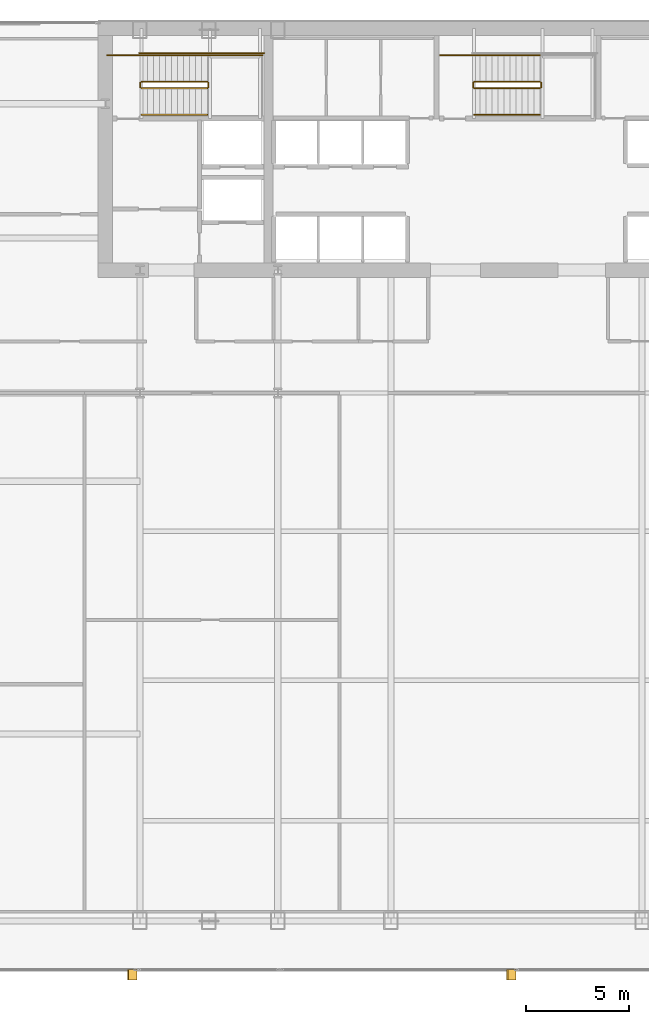
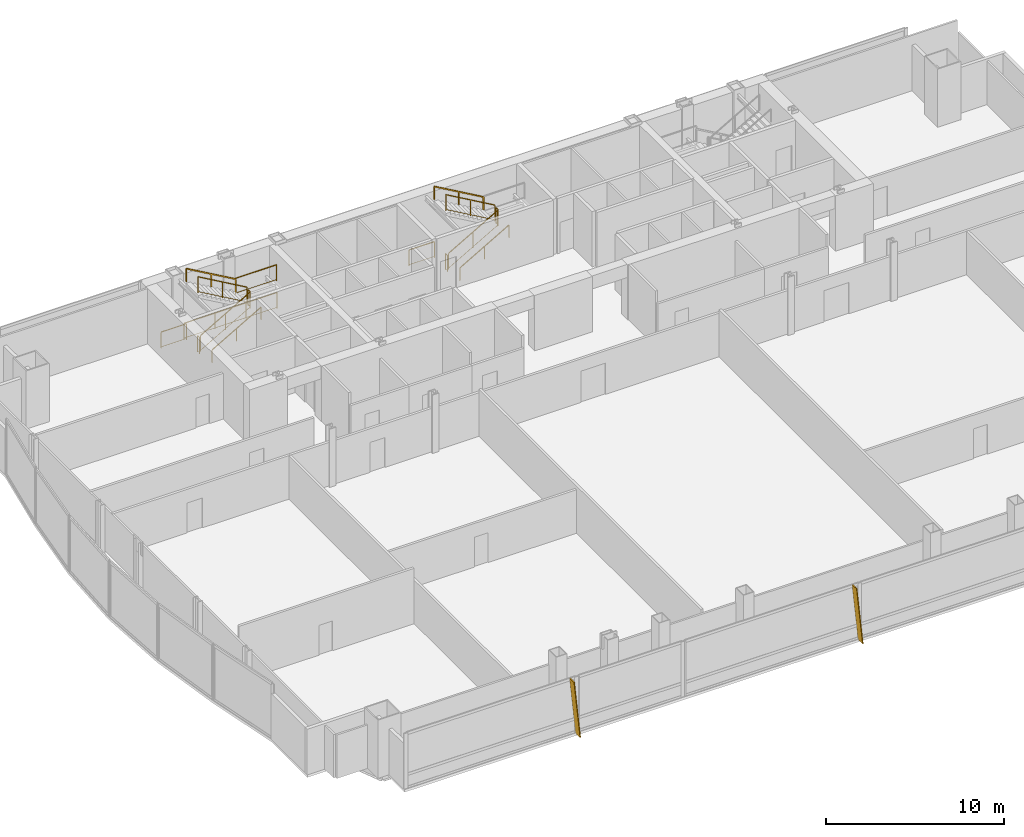
# One storey, part 32 of 34: 16 railings, 2 shading devices.
"""IFC4 building model written with IfcOpenShell, lengths in metres."""

from ifc_helpers import new_model, si_unit, direction, frame, origin, origin_2d, place, context, subcontext, project, spatial, polyline, rectangle, outline, extrude, material, layer, layer_set, type_object, element, save


model = new_model("IFC4")

# Units and contexts
model_context = context("Model", 3, precision=1e-05, world=origin(), true_north=direction((0.0, 1.0)))
body_context = subcontext(model_context, "Body", "Model", "MODEL_VIEW")
ifc_project = project(units=[si_unit("LENGTHUNIT", "METRE"), si_unit("AREAUNIT", "SQUARE_METRE"), si_unit("VOLUMEUNIT", "CUBIC_METRE"), si_unit("PLANEANGLEUNIT", "RADIAN"), si_unit("MASSUNIT", "GRAM", prefix="KILO")], contexts=[model_context])

# Site, building, storey
site_placement = place(None, origin())
site = spatial("IfcSite", under=ifc_project, at=site_placement, CompositionType="ELEMENT")
building_placement = place(site_placement, origin())
building = spatial("IfcBuilding", under=site, at=building_placement, Name="Khoronbel Lancet Exchange", CompositionType="ELEMENT")
storey_placement = place(building_placement, frame((0.0, 0.0, 102.60009765625)))
storey = spatial("IfcBuildingStorey", under=building, at=storey_placement, Name="L24", CompositionType="ELEMENT", Elevation=102.60009765625)

# Railings
ifc_material_1 = material(Name="Painted Steel Balustrade", Category="steel")
railing_type_1 = type_object("IfcRailingType", Name="RL-STG110", PredefinedType="GUARDRAIL", material=ifc_material_1)
railing_1_placement = place(storey_placement, frame((18.300048828125, 50.449951171875, 0.16650390625)))
element("IfcRailing", 1, at=railing_1_placement, inside=storey, type_object=railing_type_1, Name="L24 ST1 stair guard 1", PredefinedType="GUARDRAIL", context=body_context, shape_type="SweptSolid", body=[
    extrude(rectangle(XDim=0.048095703125, YDim=0.048095703125, at=origin_2d()), frame((0.0, 0.0, 1.09619140625), z_axis=(0.86699087805, 0.0, 0.498324008431), x_axis=(0.0, 1.0, 0.0)), (0.0, 0.0, 1.0), 3.679443359375),
    extrude(rectangle(XDim=0.02392578125, YDim=0.02392578125, at=origin_2d()), frame((0.0, 0.0, 0.080078125), z_axis=(0.86699087805, 0.0, 0.498324008431), x_axis=(0.0, 1.0, 0.0)), (0.0, 0.0, 1.0), 3.679443359375),
    extrude(rectangle(XDim=0.0419921875, YDim=0.0419921875, at=origin_2d()), origin(), (0.0, 0.0, 1.0), 1.072021484375),
    extrude(rectangle(XDim=0.0419921875, YDim=0.0419921875, at=origin_2d()), frame((1.594970703125, 0.0, 0.916748046875)), (0.0, 0.0, 1.0), 1.072021484375),
    extrude(rectangle(XDim=0.0419921875, YDim=0.0419921875, at=origin_2d()), frame((3.18994140625, 0.0, 1.83349609375)), (0.0, 0.0, 1.0), 1.072021484375),
])
railing_2_placement = place(storey_placement, frame((21.5400390625, 50.5, 2.0)))
element("IfcRailing", 2, at=railing_2_placement, inside=storey, type_object=railing_type_1, Name="L24 ST1 stair guard 2", PredefinedType="GUARDRAIL", context=body_context, shape_type="SweptSolid", body=[
    extrude(rectangle(XDim=0.048095703125, YDim=0.048095703125, at=origin_2d()), frame((0.0, 0.0, 1.09619140625), z_axis=(0.0, 1.0, 0.0), x_axis=(-1.0, 0.0, 0.0)), (0.0, 0.0, 1.0), 0.219970703125),
    extrude(rectangle(XDim=0.02392578125, YDim=0.02392578125, at=origin_2d()), frame((0.0, 0.0, 0.080078125), z_axis=(0.0, 1.0, 0.0), x_axis=(-1.0, 0.0, 0.0)), (0.0, 0.0, 1.0), 0.219970703125),
    extrude(rectangle(XDim=0.0419921875, YDim=0.0419921875, at=origin_2d()), origin(), (0.0, 0.0, 1.0), 1.072021484375),
    extrude(rectangle(XDim=0.0419921875, YDim=0.0419921875, at=origin_2d()), frame((0.0, 0.219970703125, 0.0)), (0.0, 0.0, 1.0), 1.072021484375),
])
railing_3_placement = place(storey_placement, frame((21.489990234375, 52.050048828125, 2.0)))
element("IfcRailing", 3, at=railing_3_placement, inside=storey, type_object=railing_type_1, Name="L24 ST1 stair guard 3", PredefinedType="GUARDRAIL", context=body_context, shape_type="SweptSolid", body=[
    extrude(rectangle(XDim=0.048095703125, YDim=0.048095703125, at=origin_2d()), frame((0.0, 0.0, 1.09619140625), z_axis=(1.0, 0.0, 0.0), x_axis=(0.0, 1.0, 0.0)), (0.0, 0.0, 1.0), 2.659912109375),
    extrude(rectangle(XDim=0.02392578125, YDim=0.02392578125, at=origin_2d()), frame((0.0, 0.0, 0.080078125), z_axis=(1.0, 0.0, 0.0), x_axis=(0.0, 1.0, 0.0)), (0.0, 0.0, 1.0), 2.659912109375),
    extrude(rectangle(XDim=0.0419921875, YDim=0.0419921875, at=origin_2d()), origin(), (0.0, 0.0, 1.0), 1.072021484375),
    extrude(rectangle(XDim=0.0419921875, YDim=0.0419921875, at=origin_2d()), frame((2.659912109375, 0.0, 0.0)), (0.0, 0.0, 1.0), 1.072021484375),
])
railing_4_placement = place(storey_placement, frame((21.489990234375, 50.77001953125, 2.16650390625)))
element("IfcRailing", 4, at=railing_4_placement, inside=storey, type_object=railing_type_1, Name="L24 ST1 stair guard 4", PredefinedType="GUARDRAIL", context=body_context, shape_type="SweptSolid", body=[
    extrude(rectangle(XDim=0.048095703125, YDim=0.048095703125, at=origin_2d()), frame((0.0, 0.0, 1.09619140625), z_axis=(-0.86699087805, 0.0, 0.498324008431), x_axis=(0.0, -1.0, 0.0)), (0.0, 0.0, 1.0), 3.679443359375),
    extrude(rectangle(XDim=0.02392578125, YDim=0.02392578125, at=origin_2d()), frame((0.0, 0.0, 0.080078125), z_axis=(-0.86699087805, 0.0, 0.498324008431), x_axis=(0.0, -1.0, 0.0)), (0.0, 0.0, 1.0), 3.679443359375),
    extrude(rectangle(XDim=0.0419921875, YDim=0.0419921875, at=origin_2d()), origin(), (0.0, 0.0, 1.0), 1.072021484375),
    extrude(rectangle(XDim=0.0419921875, YDim=0.0419921875, at=origin_2d()), frame((-1.594970703125, 0.0, 0.916748046875)), (0.0, 0.0, 1.0), 1.072021484375),
    extrude(rectangle(XDim=0.0419921875, YDim=0.0419921875, at=origin_2d()), frame((-3.18994140625, 0.0, 1.83349609375)), (0.0, 0.0, 1.0), 1.072021484375),
])
railing_5_placement = place(storey_placement, frame((18.25, 50.5, 0.0)))
element("IfcRailing", 5, at=railing_5_placement, inside=storey, type_object=railing_type_1, Name="L24 ST1 stair guard 5", PredefinedType="GUARDRAIL", context=body_context, shape_type="SweptSolid", body=[
    extrude(rectangle(XDim=0.048095703125, YDim=0.048095703125, at=origin_2d()), frame((0.0, 0.0, 1.09619140625), z_axis=(0.0, 1.0, 0.0), x_axis=(-1.0, 0.0, 0.0)), (0.0, 0.0, 1.0), 0.219970703125),
    extrude(rectangle(XDim=0.02392578125, YDim=0.02392578125, at=origin_2d()), frame((0.0, 0.0, 0.080078125), z_axis=(0.0, 1.0, 0.0), x_axis=(-1.0, 0.0, 0.0)), (0.0, 0.0, 1.0), 0.219970703125),
    extrude(rectangle(XDim=0.0419921875, YDim=0.0419921875, at=origin_2d()), origin(), (0.0, 0.0, 1.0), 1.072021484375),
    extrude(rectangle(XDim=0.0419921875, YDim=0.0419921875, at=origin_2d()), frame((0.0, 0.219970703125, 0.0)), (0.0, 0.0, 1.0), 1.072021484375),
])
railing_6_placement = place(storey_placement, frame((16.64990234375, 52.050048828125, 0.0)))
element("IfcRailing", 6, at=railing_6_placement, inside=storey, type_object=railing_type_1, Name="L24 ST1 stair guard 6", PredefinedType="GUARDRAIL", context=body_context, shape_type="SweptSolid", body=[
    extrude(rectangle(XDim=0.048095703125, YDim=0.048095703125, at=origin_2d()), frame((0.0, 0.0, 1.09619140625), z_axis=(1.0, 0.0, 0.0), x_axis=(0.0, 1.0, 0.0)), (0.0, 0.0, 1.0), 1.650146484375),
    extrude(rectangle(XDim=0.02392578125, YDim=0.02392578125, at=origin_2d()), frame((0.0, 0.0, 0.080078125), z_axis=(1.0, 0.0, 0.0), x_axis=(0.0, 1.0, 0.0)), (0.0, 0.0, 1.0), 1.650146484375),
    extrude(rectangle(XDim=0.0419921875, YDim=0.0419921875, at=origin_2d()), origin(), (0.0, 0.0, 1.0), 1.072021484375),
    extrude(rectangle(XDim=0.0419921875, YDim=0.0419921875, at=origin_2d()), frame((1.650146484375, 0.0, 0.0)), (0.0, 0.0, 1.0), 1.072021484375),
])
railing_7_placement = place(storey_placement, frame((18.199951171875, 52.14990234375, 0.0)))
element("IfcRailing", 7, at=railing_7_placement, inside=storey, type_object=railing_type_1, Name="L24 ST1 stair guard 7", PredefinedType="GUARDRAIL", context=body_context, shape_type="SweptSolid", body=[
    extrude(rectangle(XDim=0.048095703125, YDim=0.048095703125, at=origin_2d()), frame((0.0, 0.0, 1.09619140625), z_axis=(1.0, 0.0, 0.0), x_axis=(0.0, 1.0, 0.0)), (0.0, 0.0, 1.0), 6.050048828125),
    extrude(rectangle(XDim=0.02392578125, YDim=0.02392578125, at=origin_2d()), frame((0.0, 0.0, 0.080078125), z_axis=(1.0, 0.0, 0.0), x_axis=(0.0, 1.0, 0.0)), (0.0, 0.0, 1.0), 6.050048828125),
    extrude(rectangle(XDim=0.0419921875, YDim=0.0419921875, at=origin_2d()), origin(), (0.0, 0.0, 1.0), 1.072021484375),
    extrude(rectangle(XDim=0.0419921875, YDim=0.0419921875, at=origin_2d()), frame((2.0166015625, 0.0, 0.0)), (0.0, 0.0, 1.0), 1.072021484375),
    extrude(rectangle(XDim=0.0419921875, YDim=0.0419921875, at=origin_2d()), frame((4.033447265625, 0.0, 0.0)), (0.0, 0.0, 1.0), 1.072021484375),
    extrude(rectangle(XDim=0.0419921875, YDim=0.0419921875, at=origin_2d()), frame((6.050048828125, 0.0, 0.0)), (0.0, 0.0, 1.0), 1.072021484375),
])
railing_8_placement = place(storey_placement, frame((34.39990234375, 50.449951171875, 0.16650390625)))
element("IfcRailing", 8, at=railing_8_placement, inside=storey, type_object=railing_type_1, Name="L24 ST3 stair guard 1", PredefinedType="GUARDRAIL", context=body_context, shape_type="SweptSolid", body=[
    extrude(rectangle(XDim=0.048095703125, YDim=0.048095703125, at=origin_2d()), frame((0.0, 0.0, 1.09619140625), z_axis=(0.867007354286, 0.0, 0.498295341753), x_axis=(0.0, 1.0, 0.0)), (0.0, 0.0, 1.0), 3.679443359375),
    extrude(rectangle(XDim=0.02392578125, YDim=0.02392578125, at=origin_2d()), frame((0.0, 0.0, 0.080078125), z_axis=(0.867007354286, 0.0, 0.498295341753), x_axis=(0.0, 1.0, 0.0)), (0.0, 0.0, 1.0), 3.679443359375),
    extrude(rectangle(XDim=0.0419921875, YDim=0.0419921875, at=origin_2d()), origin(), (0.0, 0.0, 1.0), 1.072021484375),
    extrude(rectangle(XDim=0.0419921875, YDim=0.0419921875, at=origin_2d()), frame((1.59521484375, 0.0, 0.916748046875)), (0.0, 0.0, 1.0), 1.072021484375),
    extrude(rectangle(XDim=0.0419921875, YDim=0.0419921875, at=origin_2d()), frame((3.190185546875, 0.0, 1.83349609375)), (0.0, 0.0, 1.0), 1.072021484375),
])
railing_9_placement = place(storey_placement, frame((37.639892578125, 50.5, 2.0)))
element("IfcRailing", 9, at=railing_9_placement, inside=storey, type_object=railing_type_1, Name="L24 ST3 stair guard 2", PredefinedType="GUARDRAIL", context=body_context, shape_type="SweptSolid", body=[
    extrude(rectangle(XDim=0.048095703125, YDim=0.048095703125, at=origin_2d()), frame((0.0, 0.0, 1.09619140625), z_axis=(0.0, 1.0, 0.0), x_axis=(-1.0, 0.0, 0.0)), (0.0, 0.0, 1.0), 0.219970703125),
    extrude(rectangle(XDim=0.02392578125, YDim=0.02392578125, at=origin_2d()), frame((0.0, 0.0, 0.080078125), z_axis=(0.0, 1.0, 0.0), x_axis=(-1.0, 0.0, 0.0)), (0.0, 0.0, 1.0), 0.219970703125),
    extrude(rectangle(XDim=0.0419921875, YDim=0.0419921875, at=origin_2d()), origin(), (0.0, 0.0, 1.0), 1.072021484375),
    extrude(rectangle(XDim=0.0419921875, YDim=0.0419921875, at=origin_2d()), frame((0.0, 0.219970703125, 0.0)), (0.0, 0.0, 1.0), 1.072021484375),
])
railing_10_placement = place(storey_placement, frame((37.590087890625, 50.77001953125, 2.16650390625)))
element("IfcRailing", 10, at=railing_10_placement, inside=storey, type_object=railing_type_1, Name="L24 ST3 stair guard 4", PredefinedType="GUARDRAIL", context=body_context, shape_type="SweptSolid", body=[
    extrude(rectangle(XDim=0.048095703125, YDim=0.048095703125, at=origin_2d()), frame((0.0, 0.0, 1.09619140625), z_axis=(-0.867007354286, 0.0, 0.498295341753), x_axis=(0.0, -1.0, 0.0)), (0.0, 0.0, 1.0), 3.679443359375),
    extrude(rectangle(XDim=0.02392578125, YDim=0.02392578125, at=origin_2d()), frame((0.0, 0.0, 0.080078125), z_axis=(-0.867007354286, 0.0, 0.498295341753), x_axis=(0.0, -1.0, 0.0)), (0.0, 0.0, 1.0), 3.679443359375),
    extrude(rectangle(XDim=0.0419921875, YDim=0.0419921875, at=origin_2d()), origin(), (0.0, 0.0, 1.0), 1.072021484375),
    extrude(rectangle(XDim=0.0419921875, YDim=0.0419921875, at=origin_2d()), frame((-1.59521484375, 0.0, 0.916748046875)), (0.0, 0.0, 1.0), 1.072021484375),
    extrude(rectangle(XDim=0.0419921875, YDim=0.0419921875, at=origin_2d()), frame((-3.190185546875, 0.0, 1.83349609375)), (0.0, 0.0, 1.0), 1.072021484375),
])
railing_11_placement = place(storey_placement, frame((34.35009765625, 50.5, 0.0)))
element("IfcRailing", 11, at=railing_11_placement, inside=storey, type_object=railing_type_1, Name="L24 ST3 stair guard 5", PredefinedType="GUARDRAIL", context=body_context, shape_type="SweptSolid", body=[
    extrude(rectangle(XDim=0.048095703125, YDim=0.048095703125, at=origin_2d()), frame((0.0, 0.0, 1.09619140625), z_axis=(0.0, 1.0, 0.0), x_axis=(-1.0, 0.0, 0.0)), (0.0, 0.0, 1.0), 0.219970703125),
    extrude(rectangle(XDim=0.02392578125, YDim=0.02392578125, at=origin_2d()), frame((0.0, 0.0, 0.080078125), z_axis=(0.0, 1.0, 0.0), x_axis=(-1.0, 0.0, 0.0)), (0.0, 0.0, 1.0), 0.219970703125),
    extrude(rectangle(XDim=0.0419921875, YDim=0.0419921875, at=origin_2d()), origin(), (0.0, 0.0, 1.0), 1.072021484375),
    extrude(rectangle(XDim=0.0419921875, YDim=0.0419921875, at=origin_2d()), frame((0.0, 0.219970703125, 0.0)), (0.0, 0.0, 1.0), 1.072021484375),
])
railing_12_placement = place(storey_placement, frame((32.75, 52.050048828125, 0.0)))
element("IfcRailing", 12, at=railing_12_placement, inside=storey, type_object=railing_type_1, Name="L24 ST3 stair guard 6", PredefinedType="GUARDRAIL", context=body_context, shape_type="SweptSolid", body=[
    extrude(rectangle(XDim=0.048095703125, YDim=0.048095703125, at=origin_2d()), frame((0.0, 0.0, 1.09619140625), z_axis=(1.0, 0.0, 0.0), x_axis=(0.0, 1.0, 0.0)), (0.0, 0.0, 1.0), 1.64990234375),
    extrude(rectangle(XDim=0.02392578125, YDim=0.02392578125, at=origin_2d()), frame((0.0, 0.0, 0.080078125), z_axis=(1.0, 0.0, 0.0), x_axis=(0.0, 1.0, 0.0)), (0.0, 0.0, 1.0), 1.64990234375),
    extrude(rectangle(XDim=0.0419921875, YDim=0.0419921875, at=origin_2d()), origin(), (0.0, 0.0, 1.0), 1.072021484375),
    extrude(rectangle(XDim=0.0419921875, YDim=0.0419921875, at=origin_2d()), frame((1.64990234375, 0.0, 0.0)), (0.0, 0.0, 1.0), 1.072021484375),
])
ifc_material_2 = material(Name="Brushed Stainless Steel 316", Category="steel")
railing_type_2 = type_object("IfcRailingType", Name="RL-STH92", PredefinedType="HANDRAIL", material=ifc_material_2)
railing_13_placement = place(storey_placement, frame((18.300048828125, 49.169921875, 0.16650390625)))
element("IfcRailing", 13, at=railing_13_placement, inside=storey, type_object=railing_type_2, Name="L24 ST1 stair handrail 1", PredefinedType="HANDRAIL", context=body_context, shape_type="SweptSolid", body=[
    extrude(rectangle(XDim=0.048095703125, YDim=0.048095703125, at=origin_2d()), frame((0.0, 0.0, 0.8759765625), z_axis=(0.86699087805, 0.0, 0.498324008431), x_axis=(0.0, 1.0, 0.0)), (0.0, 0.0, 1.0), 3.679443359375),
    extrude(rectangle(XDim=0.0419921875, YDim=0.0419921875, at=origin_2d()), origin(), (0.0, 0.0, 1.0), 0.851806640625),
    extrude(rectangle(XDim=0.0419921875, YDim=0.0419921875, at=origin_2d()), frame((1.594970703125, 0.0, 0.916748046875)), (0.0, 0.0, 1.0), 0.851806640625),
    extrude(rectangle(XDim=0.0419921875, YDim=0.0419921875, at=origin_2d()), frame((3.18994140625, 0.0, 1.83349609375)), (0.0, 0.0, 1.0), 0.851806640625),
])
railing_14_placement = place(storey_placement, frame((21.489990234375, 52.050048828125, 2.16650390625)))
element("IfcRailing", 14, at=railing_14_placement, inside=storey, type_object=railing_type_2, Name="L24 ST1 stair handrail 2", PredefinedType="HANDRAIL", context=body_context, shape_type="SweptSolid", body=[
    extrude(rectangle(XDim=0.048095703125, YDim=0.048095703125, at=origin_2d()), frame((0.0, 0.0, 0.8759765625), z_axis=(-0.86699087805, 0.0, 0.498324008431), x_axis=(0.0, -1.0, 0.0)), (0.0, 0.0, 1.0), 3.679443359375),
    extrude(rectangle(XDim=0.0419921875, YDim=0.0419921875, at=origin_2d()), origin(), (0.0, 0.0, 1.0), 0.851806640625),
    extrude(rectangle(XDim=0.0419921875, YDim=0.0419921875, at=origin_2d()), frame((-1.594970703125, 0.0, 0.916748046875)), (0.0, 0.0, 1.0), 0.851806640625),
    extrude(rectangle(XDim=0.0419921875, YDim=0.0419921875, at=origin_2d()), frame((-3.18994140625, 0.0, 1.83349609375)), (0.0, 0.0, 1.0), 0.851806640625),
])
railing_15_placement = place(storey_placement, frame((34.39990234375, 49.169921875, 0.16650390625)))
element("IfcRailing", 15, at=railing_15_placement, inside=storey, type_object=railing_type_2, Name="L24 ST3 stair handrail 1", PredefinedType="HANDRAIL", context=body_context, shape_type="SweptSolid", body=[
    extrude(rectangle(XDim=0.048095703125, YDim=0.048095703125, at=origin_2d()), frame((0.0, 0.0, 0.8759765625), z_axis=(0.867007354286, 0.0, 0.498295341753), x_axis=(0.0, 1.0, 0.0)), (0.0, 0.0, 1.0), 3.679443359375),
    extrude(rectangle(XDim=0.0419921875, YDim=0.0419921875, at=origin_2d()), origin(), (0.0, 0.0, 1.0), 0.851806640625),
    extrude(rectangle(XDim=0.0419921875, YDim=0.0419921875, at=origin_2d()), frame((1.59521484375, 0.0, 0.916748046875)), (0.0, 0.0, 1.0), 0.851806640625),
    extrude(rectangle(XDim=0.0419921875, YDim=0.0419921875, at=origin_2d()), frame((3.190185546875, 0.0, 1.83349609375)), (0.0, 0.0, 1.0), 0.851806640625),
])
railing_16_placement = place(storey_placement, frame((37.590087890625, 52.050048828125, 2.16650390625)))
element("IfcRailing", 16, at=railing_16_placement, inside=storey, type_object=railing_type_2, Name="L24 ST3 stair handrail 2", PredefinedType="HANDRAIL", context=body_context, shape_type="SweptSolid", body=[
    extrude(rectangle(XDim=0.048095703125, YDim=0.048095703125, at=origin_2d()), frame((0.0, 0.0, 0.8759765625), z_axis=(-0.867007354286, 0.0, 0.498295341753), x_axis=(0.0, -1.0, 0.0)), (0.0, 0.0, 1.0), 3.679443359375),
    extrude(rectangle(XDim=0.0419921875, YDim=0.0419921875, at=origin_2d()), origin(), (0.0, 0.0, 1.0), 0.851806640625),
    extrude(rectangle(XDim=0.0419921875, YDim=0.0419921875, at=origin_2d()), frame((-1.59521484375, 0.0, 0.916748046875)), (0.0, 0.0, 1.0), 0.851806640625),
    extrude(rectangle(XDim=0.0419921875, YDim=0.0419921875, at=origin_2d()), frame((-3.190185546875, 0.0, 1.83349609375)), (0.0, 0.0, 1.0), 0.851806640625),
])

# Shading devices
ifc_material_3 = material(Name="Bronze-Anodised Aluminium 6063-T6", Category="aluminium")
ifc_layer = layer(ifc_material_3, 0.054931640625, Name="Bronze-Anodised Aluminium 6063-T6")
ifc_layer_set = layer_set([ifc_layer], Name="Bronze-Anodised Aluminium 6063-T6")
shading_device_type = type_object("IfcShadingDeviceType", Name="SHD-FIN1", PredefinedType="USERDEFINED", material=ifc_layer_set)
for number, where, z_axis, x_axis, name in (
    (17, (18.072509765625, 7.81005859375, -0.080078125), (0.994960819636, 0.0, 0.100264487181), (0.0, -1.0, 0.0), "Slanted bronze solar fin CW-L24-SWV-1"),
    (18, (36.422607421875, 7.81005859375, -0.080078125), (0.994960819636, 0.0, 0.100264487181), (0.0, -1.0, 0.0), "Slanted bronze solar fin CW-L24-SCV-1"),
):
    element("IfcShadingDevice", number, at=place(storey_placement, frame(where, z_axis=z_axis, x_axis=x_axis)), inside=storey, type_object=shading_device_type, Name=name, ObjectType="FIN", PredefinedType="USERDEFINED", context=body_context, shape_type="SweptSolid", body=[
        extrude(outline(polyline([(0.0, 0.0), (0.52001953125, 0.0), (0.52001953125, -3.939697265625), (0.0, -3.939697265625), (0.0, 0.0)])), origin(), (0.0, 0.0, -1.0), 0.054931640625),
    ])

save(model, "model.ifc")
